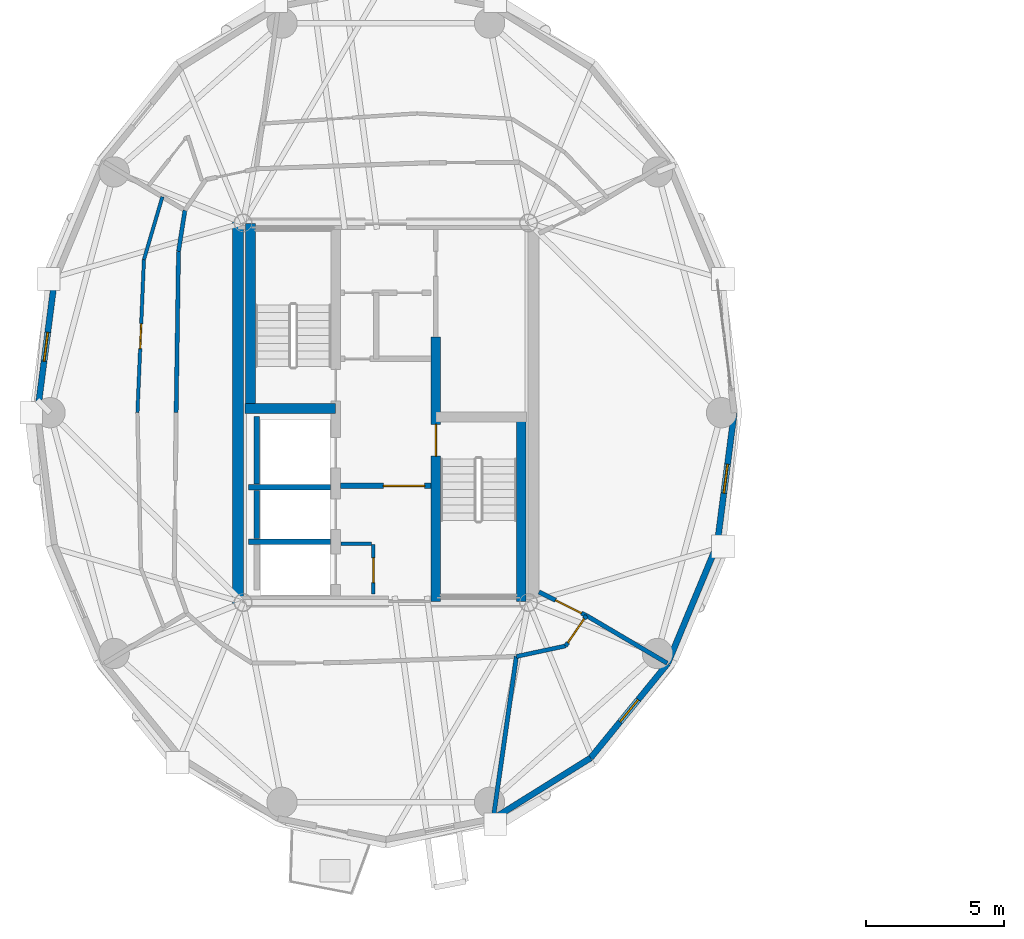
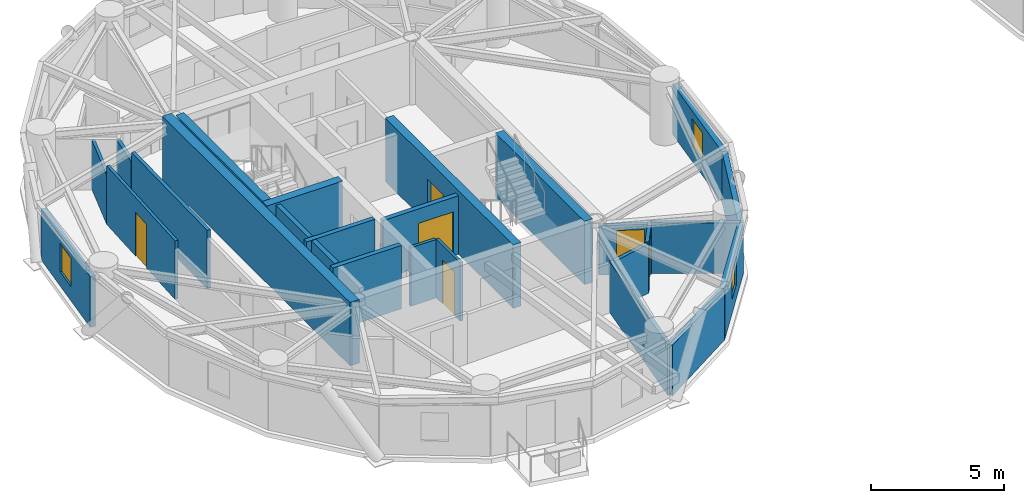
# One storey, part 8 of 16: 26 walls, 6 doors, 3 windows, 9 openings.
"""IFC4 building model written with IfcOpenShell, lengths in metres."""

from ifc_helpers import new_model, si_unit, direction, frame, frame_2d, origin, place, context, subcontext, project, spatial, rectangle, extrude, source, transform, mapped, material, layer, layer_set, type_object, element, fill, save


model = new_model("IFC4")

# Units and contexts
model_context = context("Model", 3, precision=1e-05, world=origin(), true_north=direction((0.0, 1.0)))
body_context = subcontext(model_context, "Body", "Model", "MODEL_VIEW")
ifc_project = project(units=[si_unit("LENGTHUNIT", "METRE"), si_unit("AREAUNIT", "SQUARE_METRE"), si_unit("VOLUMEUNIT", "CUBIC_METRE"), si_unit("PLANEANGLEUNIT", "RADIAN"), si_unit("MASSUNIT", "GRAM", prefix="KILO")], contexts=[model_context])

# Site, building, storey
site_placement = place(None, origin())
site = spatial("IfcSite", under=ifc_project, at=site_placement, CompositionType="ELEMENT")
building_placement = place(site_placement, origin())
building = spatial("IfcBuilding", under=site, at=building_placement, Name="Cununo Teusaquillo Station Towers", CompositionType="ELEMENT")
storey_placement = place(building_placement, frame((0.0, 0.0, 214.1201171875)))
storey = spatial("IfcBuildingStorey", under=building, at=storey_placement, Name="L68", CompositionType="ELEMENT", Elevation=214.1201171875)

# Walls
ifc_material_1 = material(Name="Concrete C50/60", Category="concrete")
ifc_layer_1 = layer(ifc_material_1, 0.199951171875)
ifc_layer_set_1 = layer_set([ifc_layer_1], Name="Concrete C50/60")
wall_type_1 = type_object("IfcWallType", Name="WL-CORE-200", PredefinedType="SHEAR", material=ifc_layer_set_1)
wall_1_placement = place(storey_placement, frame((11.52001953125, 21.800048828125, 0.0), z_axis=(0.0, 0.0, 1.0), x_axis=(1.0, 0.0, 0.0)))
element("IfcWall", 1, at=wall_1_placement, inside=storey, type_object=wall_type_1, Name="L68 Tower A Firefighting Lift Shaft South Shear Wall", PredefinedType="SHEAR", context=body_context, shape_type="SweptSolid", body=[
    extrude(rectangle(XDim=2.969970703125, YDim=0.199951171875, at=frame_2d((1.48486328125, 0.0))), origin(), (0.0, 0.0, 1.0), 2.909912109375),
])
wall_2_placement = place(storey_placement, frame((11.820068359375, 21.919921875, 0.0), z_axis=(0.0, 0.0, 1.0), x_axis=(0.0, 1.0, 0.0)))
element("IfcWall", 2, at=wall_2_placement, inside=storey, type_object=wall_type_1, Name="L68 Tower A Firefighting Lift Shaft Rear Shear Wall", PredefinedType="SHEAR", context=body_context, shape_type="SweptSolid", body=[
    extrude(rectangle(XDim=2.440185546875, YDim=0.199951171875, at=frame_2d((1.22021484375, 0.0))), origin(), (0.0, 0.0, 1.0), 2.909912109375),
])
wall_3_placement = place(storey_placement, frame((11.52001953125, 19.824951171875, 0.0), z_axis=(0.0, 0.0, 1.0), x_axis=(1.0, 0.0, 0.0)))
element("IfcWall", 3, at=wall_3_placement, inside=storey, type_object=wall_type_1, Name="L68 Tower A High-Rise Lift Hoistway Divider Shear Wall", PredefinedType="SHEAR", context=body_context, shape_type="SweptSolid", body=[
    extrude(rectangle(XDim=2.969970703125, YDim=0.199951171875, at=frame_2d((1.48486328125, 0.0))), origin(), (0.0, 0.0, 1.0), 2.909912109375),
])
wall_4_placement = place(storey_placement, frame((11.820068359375, 19.945068359375, 0.0), z_axis=(0.0, 0.0, 1.0), x_axis=(0.0, 1.0, 0.0)))
element("IfcWall", 4, at=wall_4_placement, inside=storey, type_object=wall_type_1, Name="L68 Tower A High-Rise Lift 2 Shaft Rear Shear Wall", PredefinedType="SHEAR", context=body_context, shape_type="SweptSolid", body=[
    extrude(rectangle(XDim=1.73486328125, YDim=0.199951171875, at=frame_2d((0.867431640625, 0.0))), origin(), (0.0, 0.0, 1.0), 2.909912109375),
])

# Wall, opening, door
ifc_material_2 = material(Name="Concrete C50/60", Category="concrete")
ifc_layer_2 = layer(ifc_material_2, 0.35009765625)
ifc_layer_set_2 = layer_set([ifc_layer_2], Name="Concrete C50/60")
wall_type_2 = type_object("IfcWallType", Name="WL-CORE-350", PredefinedType="SHEAR", material=ifc_layer_set_2)
wall_5_placement = place(storey_placement, frame((18.31494140625, 17.64990234375, 0.0), z_axis=(0.0, 0.0, 1.0), x_axis=(0.0, 1.0, 0.0)))
wall_5 = element("IfcWall", 5, at=wall_5_placement, inside=storey, type_object=wall_type_2, Name="L68 Tower A Core Shear Wall IE", PredefinedType="SHEAR", context=body_context, shape_type="SweptSolid", body=[
    extrude(rectangle(XDim=9.60009765625, YDim=0.35009765625, at=frame_2d((4.800048828125, 0.0))), origin(), (0.0, 0.0, 1.0), 2.909912109375),
])
shared_shape_1 = source(origin(), body_context, "Body", "SweptSolid", [
    extrude(rectangle(XDim=1.14990234375, YDim=2.02001953125, at=frame_2d((0.574951171875, 1.010009765625))), frame((0.0, 0.18505859375, 0.0), z_axis=(0.0, -1.0, 0.0), x_axis=(1.0, 0.0, 0.0)), (0.0, 0.0, 1.0), 0.3701171875),
])
opening_1_placement = place(wall_5_placement, frame((5.280029296875, 0.0, 0.0)))
opening_1 = element("IfcOpeningElement", 6, at=opening_1_placement, cuts=wall_5, Name="Opening D-ST1", PredefinedType="OPENING", context=body_context, shape_type="MappedRepresentation", body=[
    mapped(shared_shape_1, transform((0.0, 0.0, 0.0), x_axis=(1.0, 0.0, 0.0), y_axis=(0.0, 1.0, 0.0), z_axis=(0.0, 0.0, 1.0), scale=1.0)),
])
ifc_material_3 = material(Name="Galvanised fire-rated hollow steel door assembly", Category="steel")
door_type_1 = type_object("IfcDoorType", Name="DR-STAIR-1150", OperationType="NOTDEFINED", PredefinedType="DOOR", material=ifc_material_3)
shared_shape_2 = source(origin(), body_context, "Body", "SweptSolid", [
    extrude(rectangle(XDim=1.14990234375, YDim=2.02001953125, at=frame_2d((0.574951171875, 1.010009765625))), frame((0.0, 0.02490234375, 0.0), z_axis=(0.0, -1.0, 0.0), x_axis=(1.0, 0.0, 0.0)), (0.0, 0.0, 1.0), 0.050048828125),
])
door_1_placement = place(opening_1_placement, origin())
door_1 = element("IfcDoor", 7, at=door_1_placement, inside=storey, type_object=door_type_1, Name="L68 Tower A Exit Stair 2 Fire Door", OperationType="SINGLE_SWING_LEFT", OverallHeight=2.02001953125, OverallWidth=1.14990234375, PredefinedType="DOOR", context=body_context, shape_type="MappedRepresentation", body=[
    mapped(shared_shape_2, transform((0.0, 0.0, 0.0), x_axis=(1.0, 0.0, 0.0), y_axis=(0.0, 1.0, 0.0), z_axis=(0.0, 0.0, 1.0), scale=1.0)),
])
fill(opening_1, door_1)

# Walls
wall_6_placement = place(storey_placement, frame((11.594970703125, 24.655029296875, 0.0), z_axis=(0.0, 0.0, 1.0), x_axis=(0.0, 1.0, 0.0)))
element("IfcWall", 8, at=wall_6_placement, inside=storey, type_object=wall_type_2, Name="L68 Tower A Core Shear Wall ST1W", PredefinedType="SHEAR", context=body_context, shape_type="SweptSolid", body=[
    extrude(rectangle(XDim=6.695068359375, YDim=0.35009765625, at=frame_2d((3.34765625, 0.0))), origin(), (0.0, 0.0, 1.0), 2.909912109375),
])
wall_7_placement = place(storey_placement, frame((11.39990234375, 24.655029296875, 0.0), z_axis=(0.0, 0.0, 1.0), x_axis=(1.0, 0.0, 0.0)))
element("IfcWall", 9, at=wall_7_placement, inside=storey, type_object=wall_type_2, Name="L68 Tower A Core Shear Wall ST1S", PredefinedType="SHEAR", context=body_context, shape_type="SweptSolid", body=[
    extrude(rectangle(XDim=3.28515625, YDim=0.35009765625, at=frame_2d((1.642578125, 0.0))), origin(), (0.0, 0.0, 1.0), 2.909912109375),
])
wall_8_placement = place(storey_placement, frame((21.405029296875, 17.64990234375, 0.0), z_axis=(0.0, 0.0, 1.0), x_axis=(0.0, 1.0, 0.0)))
element("IfcWall", 10, at=wall_8_placement, inside=storey, type_object=wall_type_2, Name="L68 Tower A Core Shear Wall ST2E", PredefinedType="SHEAR", context=body_context, shape_type="SweptSolid", body=[
    extrude(rectangle(XDim=6.695068359375, YDim=0.35009765625, at=frame_2d((3.34765625, 0.0))), origin(), (0.0, 0.0, 1.0), 2.909912109375),
])
ifc_material_4 = material(Name="Concrete C50/60", Category="concrete")
ifc_layer_3 = layer(ifc_material_4, 0.39990234375)
ifc_layer_set_3 = layer_set([ifc_layer_3], Name="Concrete C50/60")
wall_type_3 = type_object("IfcWallType", Name="WL-CORE-400", PredefinedType="SHEAR", material=ifc_layer_set_3)
wall_9_placement = place(storey_placement, frame((11.14990234375, 17.449951171875, 0.0), z_axis=(0.0, 0.0, 1.0), x_axis=(0.0, 1.0, 0.0)))
element("IfcWall", 11, at=wall_9_placement, inside=storey, type_object=wall_type_3, Name="L68 Tower A Core Shear Wall W", PredefinedType="SHEAR", context=body_context, shape_type="SweptSolid", body=[
    extrude(rectangle(XDim=14.10009765625, YDim=0.39990234375, at=frame_2d((7.050048828125, 0.0))), origin(), (0.0, 0.0, 1.0), 2.909912109375),
])

# Wall, opening, window
ifc_material_5 = material(Name="Precast concrete C40/50", Category="concrete")
ifc_layer_4 = layer(ifc_material_5, 0.219970703125)
ifc_layer_set_4 = layer_set([ifc_layer_4], Name="Precast concrete C40/50")
wall_type_4 = type_object("IfcWallType", Name="WL-EXT-220", PredefinedType="SOLIDWALL", material=ifc_layer_set_4)
wall_10_placement = place(storey_placement, frame((3.8701171875, 24.5, 0.0), z_axis=(0.0, 0.0, 1.0), x_axis=(0.128241318541, 0.991742993027, 0.0)))
wall_10 = element("IfcWall", 12, at=wall_10_placement, inside=storey, type_object=wall_type_4, Name="L68 Tower A Exterior Facade Wall C09", PredefinedType="SOLIDWALL", context=body_context, shape_type="SweptSolid", body=[
    extrude(rectangle(XDim=4.8203125, YDim=0.219970703125, at=frame_2d((2.41015625, 0.0))), origin(), (0.0, 0.0, 1.0), 2.32177734375),
])
shared_shape_3 = source(origin(), body_context, "Body", "SweptSolid", [
    extrude(rectangle(XDim=1.050048828125, YDim=1.300048828125, at=frame_2d((0.52490234375, 0.64990234375))), frame((0.0, 0.119873046875, 0.0), z_axis=(0.0, -1.0, 0.0), x_axis=(1.0, 0.0, 0.0)), (0.0, 0.0, 1.0), 0.239990234375),
])
opening_2_placement = place(wall_10_placement, frame((1.885009765625, 0.0, 0.64990234375)))
opening_2 = element("IfcOpeningElement", 13, at=opening_2_placement, cuts=wall_10, Name="Opening WN-04", PredefinedType="OPENING", context=body_context, shape_type="MappedRepresentation", body=[
    mapped(shared_shape_3, transform((0.0, 0.0, 0.0), x_axis=(1.0, 0.0, 0.0), y_axis=(0.0, 1.0, 0.0), z_axis=(0.0, 0.0, 1.0), scale=1.0)),
])
ifc_material_6 = material(Name="Operable acoustic tinted low-E double glazing", Category="glass")
window_type = type_object("IfcWindowType", Name="WIN-BAL-1050", PartitioningType="SINGLE_PANEL", PredefinedType="WINDOW", material=ifc_material_6)
shared_shape_4 = source(origin(), body_context, "Body", "SweptSolid", [
    extrude(rectangle(XDim=1.050048828125, YDim=1.300048828125, at=frame_2d((0.52490234375, 0.64990234375))), frame((0.0, 0.030029296875, 0.0), z_axis=(0.0, -1.0, 0.0), x_axis=(1.0, 0.0, 0.0)), (0.0, 0.0, 1.0), 0.06005859375),
])
window_1_placement = place(opening_2_placement, origin())
window_1 = element("IfcWindow", 14, at=window_1_placement, inside=storey, type_object=window_type, Name="L68 Tower A Facade Window C09", OverallHeight=1.300048828125, OverallWidth=1.050048828125, PartitioningType="SINGLE_PANEL", PredefinedType="WINDOW", context=body_context, shape_type="MappedRepresentation", body=[
    mapped(shared_shape_4, transform((0.0, 0.0, 0.0), x_axis=(1.0, 0.0, 0.0), y_axis=(0.0, 1.0, 0.0), z_axis=(0.0, 0.0, 1.0), scale=1.0)),
])
fill(opening_2, window_1)

# Wall
wall_11_placement = place(storey_placement, frame((23.923583984375, 11.984619140625, 0.0), z_axis=(0.0, 0.0, 1.0), x_axis=(-0.848318713376, -0.529485939886, 0.0)))
element("IfcWall", 15, at=wall_11_placement, inside=storey, type_object=wall_type_4, Name="L68 Tower A Exterior Facade Wall C16", PredefinedType="SOLIDWALL", context=body_context, shape_type="SweptSolid", body=[
    extrude(rectangle(XDim=4.150390625, YDim=0.219970703125, at=frame_2d((2.0751953125, 0.0))), origin(), (0.0, 0.0, 1.0), 2.32177734375),
])

# Wall, opening, window
wall_12_placement = place(storey_placement, frame((26.718017578125, 15.406982421875, 0.0), z_axis=(0.0, 0.0, 1.0), x_axis=(-0.632467166636, -0.774587169483, 0.0)))
wall_12 = element("IfcWall", 16, at=wall_12_placement, inside=storey, type_object=wall_type_4, Name="L68 Tower A Exterior Facade Wall C17", PredefinedType="SOLIDWALL", context=body_context, shape_type="SweptSolid", body=[
    extrude(rectangle(XDim=4.418212890625, YDim=0.219970703125, at=frame_2d((2.208984375, 0.0))), origin(), (0.0, 0.0, 1.0), 2.32177734375),
])
opening_3_placement = place(wall_12_placement, frame((1.68408203125, 0.0, 0.64990234375)))
opening_3 = element("IfcOpeningElement", 17, at=opening_3_placement, cuts=wall_12, Name="Opening WN-04", PredefinedType="OPENING", context=body_context, shape_type="MappedRepresentation", body=[
    mapped(shared_shape_3, transform((0.0, 0.0, 0.0), x_axis=(1.0, 0.0, 0.0), y_axis=(0.0, 1.0, 0.0), z_axis=(0.0, 0.0, 1.0), scale=1.0)),
])
window_2_placement = place(opening_3_placement, origin())
window_2 = element("IfcWindow", 18, at=window_2_placement, inside=storey, type_object=window_type, Name="L68 Tower A Facade Window C17", OverallHeight=1.300048828125, OverallWidth=1.050048828125, PartitioningType="SINGLE_PANEL", PredefinedType="WINDOW", context=body_context, shape_type="MappedRepresentation", body=[
    mapped(shared_shape_4, transform((0.0, 0.0, 0.0), x_axis=(1.0, 0.0, 0.0), y_axis=(0.0, 1.0, 0.0), z_axis=(0.0, 0.0, 1.0), scale=1.0)),
])
fill(opening_3, window_2)

# Wall
wall_13_placement = place(storey_placement, frame((28.51171875, 19.719482421875, 0.0), z_axis=(0.0, 0.0, 1.0), x_axis=(-0.384036305194, -0.923317993052, 0.0)))
element("IfcWall", 19, at=wall_13_placement, inside=storey, type_object=wall_type_4, Name="L68 Tower A Exterior Facade Wall C18", PredefinedType="SOLIDWALL", context=body_context, shape_type="SweptSolid", body=[
    extrude(rectangle(XDim=4.670654296875, YDim=0.219970703125, at=frame_2d((2.33544921875, 0.0))), origin(), (0.0, 0.0, 1.0), 2.32177734375),
])

# Wall, opening, window
wall_14_placement = place(storey_placement, frame((29.1298828125, 24.5, 0.0), z_axis=(0.0, 0.0, 1.0), x_axis=(-0.128241318541, -0.991742993027, 0.0)))
wall_14 = element("IfcWall", 20, at=wall_14_placement, inside=storey, type_object=wall_type_4, Name="L68 Tower A Exterior Facade Wall C19", PredefinedType="SOLIDWALL", context=body_context, shape_type="SweptSolid", body=[
    extrude(rectangle(XDim=4.8203125, YDim=0.219970703125, at=frame_2d((2.41015625, 0.0))), origin(), (0.0, 0.0, 1.0), 2.32177734375),
])
opening_4_placement = place(wall_14_placement, frame((1.885009765625, 0.0, 0.64990234375)))
opening_4 = element("IfcOpeningElement", 21, at=opening_4_placement, cuts=wall_14, Name="Opening WN-04", PredefinedType="OPENING", context=body_context, shape_type="MappedRepresentation", body=[
    mapped(shared_shape_3, transform((0.0, 0.0, 0.0), x_axis=(1.0, 0.0, 0.0), y_axis=(0.0, 1.0, 0.0), z_axis=(0.0, 0.0, 1.0), scale=1.0)),
])
window_3_placement = place(opening_4_placement, origin())
window_3 = element("IfcWindow", 22, at=window_3_placement, inside=storey, type_object=window_type, Name="L68 Tower A Facade Window C19", OverallHeight=1.300048828125, OverallWidth=1.050048828125, PartitioningType="SINGLE_PANEL", PredefinedType="WINDOW", context=body_context, shape_type="MappedRepresentation", body=[
    mapped(shared_shape_4, transform((0.0, 0.0, 0.0), x_axis=(1.0, 0.0, 0.0), y_axis=(0.0, 1.0, 0.0), z_axis=(0.0, 0.0, 1.0), scale=1.0)),
])
fill(opening_4, window_3)

# Wall, opening, door
ifc_material_7 = material(Name="Fire-rated gypsum plasterboard partition assembly", Category="gypsum")
ifc_layer_5 = layer(ifc_material_7, 0.125)
ifc_layer_set_5 = layer_set([ifc_layer_5], Name="Fire-rated gypsum plasterboard partition assembly")
wall_type_5 = type_object("IfcWallType", Name="WL-PART-125", PredefinedType="PARTITIONING", material=ifc_layer_set_5)
wall_15_placement = place(storey_placement, frame((16.050048828125, 17.919921875, 0.0), z_axis=(0.0, 0.0, 1.0), x_axis=(0.0, 1.0, 0.0)))
wall_15 = element("IfcWall", 23, at=wall_15_placement, inside=storey, type_object=wall_type_5, Name="L68 Tower A South-West Compact Store East Wall", PredefinedType="PARTITIONING", context=body_context, shape_type="SweptSolid", body=[
    extrude(rectangle(XDim=1.800048828125, YDim=0.125, at=frame_2d((0.89990234375, 0.0))), origin(), (0.0, 0.0, 1.0), 2.684814453125),
])
shared_shape_5 = source(origin(), body_context, "Body", "SweptSolid", [
    extrude(rectangle(XDim=0.89990234375, YDim=2.0048828125, at=frame_2d((0.449951171875, 1.00244140625))), frame((0.0, 0.072509765625, 0.0), z_axis=(0.0, -1.0, 0.0), x_axis=(1.0, 0.0, 0.0)), (0.0, 0.0, 1.0), 0.14501953125),
])
opening_5_placement = place(wall_15_placement, frame((0.419921875, 0.0, 0.0)))
opening_5 = element("IfcOpeningElement", 24, at=opening_5_placement, cuts=wall_15, Name="Opening D-SR1", PredefinedType="OPENING", context=body_context, shape_type="MappedRepresentation", body=[
    mapped(shared_shape_5, transform((0.0, 0.0, 0.0), x_axis=(1.0, 0.0, 0.0), y_axis=(0.0, 1.0, 0.0), z_axis=(0.0, 0.0, 1.0), scale=1.0)),
])
ifc_material_8 = material(Name="Galvanised fire-rated hollow steel door assembly", Category="steel")
door_type_2 = type_object("IfcDoorType", Name="DR-STORE-900", OperationType="NOTDEFINED", PredefinedType="DOOR", material=ifc_material_8)
shared_shape_6 = source(origin(), body_context, "Body", "SweptSolid", [
    extrude(rectangle(XDim=0.89990234375, YDim=2.0048828125, at=frame_2d((0.449951171875, 1.00244140625))), frame((0.0, 0.02490234375, 0.0), z_axis=(0.0, -1.0, 0.0), x_axis=(1.0, 0.0, 0.0)), (0.0, 0.0, 1.0), 0.050048828125),
])
door_2_placement = place(opening_5_placement, origin())
door_2 = element("IfcDoor", 25, at=door_2_placement, inside=storey, type_object=door_type_2, Name="L68 Tower A Core Electrical & Comms Store Door", OperationType="SINGLE_SWING_RIGHT", OverallHeight=2.0048828125, OverallWidth=0.89990234375, PredefinedType="DOOR", context=body_context, shape_type="MappedRepresentation", body=[
    mapped(shared_shape_6, transform((0.0, 0.0, 0.0), x_axis=(1.0, 0.0, 0.0), y_axis=(0.0, 1.0, 0.0), z_axis=(0.0, 0.0, 1.0), scale=1.0)),
])
fill(opening_5, door_2)

# Walls
wall_16_placement = place(storey_placement, frame((14.8798828125, 19.75, 0.0), z_axis=(0.0, 0.0, 1.0), x_axis=(1.0, 0.0, 0.0)))
element("IfcWall", 26, at=wall_16_placement, inside=storey, type_object=wall_type_5, Name="L68 Tower A South-West Compact Store North Wall", PredefinedType="PARTITIONING", context=body_context, shape_type="SweptSolid", body=[
    extrude(rectangle(XDim=1.10009765625, YDim=0.125, at=frame_2d((0.550048828125, 0.0))), origin(), (0.0, 0.0, 1.0), 2.684814453125),
])
wall_17_placement = place(storey_placement, frame((8.40087890625, 32.32568359375, 0.0), z_axis=(0.0, 0.0, 1.0), x_axis=(-0.281681886596, -0.959507850288, 0.0)))
element("IfcWall", 27, at=wall_17_placement, inside=storey, type_object=wall_type_5, Name="L68 Tower A Cordillera Pinnacle Club Concentric Partition Wall C08", PredefinedType="PARTITIONING", context=body_context, shape_type="SweptSolid", body=[
    extrude(rectangle(XDim=2.3740234375, YDim=0.125, at=frame_2d((1.18701171875, 0.0))), origin(), (0.0, 0.0, 1.0), 2.2548828125),
])

# Wall, opening, door
wall_18_placement = place(storey_placement, frame((7.732177734375, 30.0478515625, 0.0), z_axis=(0.0, 0.0, 1.0), x_axis=(-0.042296211955, -0.999105114817, 0.0)))
wall_18 = element("IfcWall", 28, at=wall_18_placement, inside=storey, type_object=wall_type_5, Name="L68 Tower A Cordillera Pinnacle Club Concentric Partition Wall C09", PredefinedType="PARTITIONING", context=body_context, shape_type="SweptSolid", body=[
    extrude(rectangle(XDim=5.552734375, YDim=0.125, at=frame_2d((2.7763671875, 0.0))), origin(), (0.0, 0.0, 1.0), 2.684814453125),
])
opening_6_placement = place(wall_18_placement, frame((2.326416015625, 0.0, 0.0)))
opening_6 = element("IfcOpeningElement", 29, at=opening_6_placement, cuts=wall_18, Name="Opening D-IN1", PredefinedType="OPENING", context=body_context, shape_type="MappedRepresentation", body=[
    mapped(shared_shape_5, transform((0.0, 0.0, 0.0), x_axis=(1.0, 0.0, 0.0), y_axis=(0.0, 1.0, 0.0), z_axis=(0.0, 0.0, 1.0), scale=1.0)),
])
ifc_material_9 = material(Name="Acoustic solid-core hardwood leaf assembly", Category="wood")
door_type_3 = type_object("IfcDoorType", Name="DR-INT-900", OperationType="NOTDEFINED", PredefinedType="DOOR", material=ifc_material_9)
door_3_placement = place(opening_6_placement, origin())
door_3 = element("IfcDoor", 30, at=door_3_placement, inside=storey, type_object=door_type_3, Name="L68 Tower A Cordillera Pinnacle Club Connecting Door", OperationType="SINGLE_SWING_RIGHT", OverallHeight=2.0048828125, OverallWidth=0.89990234375, PredefinedType="DOOR", context=body_context, shape_type="MappedRepresentation", body=[
    mapped(shared_shape_6, transform((0.0, 0.0, 0.0), x_axis=(1.0, 0.0, 0.0), y_axis=(0.0, 1.0, 0.0), z_axis=(0.0, 0.0, 1.0), scale=1.0)),
])
fill(opening_6, door_3)

# Walls
ifc_material_10 = material(Name="Fire-rated gypsum plasterboard partition assembly", Category="gypsum")
ifc_layer_6 = layer(ifc_material_10, 0.14990234375)
ifc_layer_set_6 = layer_set([ifc_layer_6], Name="Fire-rated gypsum plasterboard partition assembly")
wall_type_6 = type_object("IfcWallType", Name="WL-PART-150", PredefinedType="PARTITIONING", material=ifc_layer_set_6)
wall_19_placement = place(storey_placement, frame((9.218505859375, 31.837646484375, 0.0), z_axis=(0.0, 0.0, 1.0), x_axis=(-0.154065528966, -0.98806063214, 0.0)))
element("IfcWall", 31, at=wall_19_placement, inside=storey, type_object=wall_type_6, Name="L68 Tower A Corridor Ring Wall C08", PredefinedType="PARTITIONING", context=body_context, shape_type="SweptSolid", body=[
    extrude(rectangle(XDim=1.507080078125, YDim=0.14990234375, at=frame_2d((0.75341796875, 0.0))), origin(), (0.0, 0.0, 1.0), 2.2548828125),
])
wall_20_placement = place(storey_placement, frame((8.986328125, 30.3486328125, 0.0), z_axis=(0.0, 0.0, 1.0), x_axis=(-0.014775478218, -0.999890836663, 0.0)))
element("IfcWall", 32, at=wall_20_placement, inside=storey, type_object=wall_type_6, Name="L68 Tower A Corridor Ring Wall C09", PredefinedType="PARTITIONING", context=body_context, shape_type="SweptSolid", body=[
    extrude(rectangle(XDim=5.849365234375, YDim=0.14990234375, at=frame_2d((2.9248046875, 0.0))), origin(), (0.0, 0.0, 1.0), 2.684814453125),
])
wall_21_placement = place(storey_placement, frame((21.23388671875, 15.664306640625, 0.0), z_axis=(0.0, 0.0, 1.0), x_axis=(0.977931581182, 0.208925399431, 0.0)))
element("IfcWall", 33, at=wall_21_placement, inside=storey, type_object=wall_type_6, Name="L68 Tower A Corridor Ring Wall C16", PredefinedType="PARTITIONING", context=body_context, shape_type="SweptSolid", body=[
    extrude(rectangle(XDim=1.822998046875, YDim=0.14990234375, at=frame_2d((0.91162109375, 0.0))), origin(), (0.0, 0.0, 1.0), 2.2548828125),
])

# Wall, opening, door
wall_22_placement = place(storey_placement, frame((23.0166015625, 16.045166015625, 0.0), z_axis=(0.0, 0.0, 1.0), x_axis=(0.566660656138, 0.823951273308, 0.0)))
wall_22 = element("IfcWall", 34, at=wall_22_placement, inside=storey, type_object=wall_type_6, Name="L68 Tower A Corridor Ring Wall C17", PredefinedType="PARTITIONING", context=body_context, shape_type="SweptSolid", body=[
    extrude(rectangle(XDim=1.3359375, YDim=0.14990234375, at=frame_2d((0.66796875, 0.0))), origin(), (0.0, 0.0, 1.0), 2.32177734375),
])
shared_shape_7 = source(origin(), body_context, "Body", "SweptSolid", [
    extrude(rectangle(XDim=1.050048828125, YDim=2.014892578125, at=frame_2d((0.52490234375, 1.00732421875))), frame((0.0, 0.0849609375, 0.0), z_axis=(0.0, -1.0, 0.0), x_axis=(1.0, 0.0, 0.0)), (0.0, 0.0, 1.0), 0.169921875),
])
opening_7_placement = place(wall_22_placement, frame((0.14306640625, 0.0, 0.0)))
opening_7 = element("IfcOpeningElement", 35, at=opening_7_placement, cuts=wall_22, Name="Opening D-SU1", PredefinedType="OPENING", context=body_context, shape_type="MappedRepresentation", body=[
    mapped(shared_shape_7, transform((0.0, 0.0, 0.0), x_axis=(1.0, 0.0, 0.0), y_axis=(0.0, 1.0, 0.0), z_axis=(0.0, 0.0, 1.0), scale=1.0)),
])
ifc_material_11 = material(Name="Acoustic solid-core hardwood leaf assembly", Category="wood")
door_type_4 = type_object("IfcDoorType", Name="DR-SUITE-1050", OperationType="NOTDEFINED", PredefinedType="DOOR", material=ifc_material_11)
shared_shape_8 = source(origin(), body_context, "Body", "SweptSolid", [
    extrude(rectangle(XDim=1.050048828125, YDim=2.014892578125, at=frame_2d((0.52490234375, 1.00732421875))), frame((0.0, 0.02490234375, 0.0), z_axis=(0.0, -1.0, 0.0), x_axis=(1.0, 0.0, 0.0)), (0.0, 0.0, 1.0), 0.050048828125),
])
door_4_placement = place(opening_7_placement, origin())
door_4 = element("IfcDoor", 36, at=door_4_placement, inside=storey, type_object=door_type_4, Name="L68 Tower A Hotel Housekeeping & Linen Pantry Entrance Door", OperationType="SINGLE_SWING_RIGHT", OverallHeight=2.014892578125, OverallWidth=1.050048828125, PredefinedType="DOOR", context=body_context, shape_type="MappedRepresentation", body=[
    mapped(shared_shape_8, transform((0.0, 0.0, 0.0), x_axis=(1.0, 0.0, 0.0), y_axis=(0.0, 1.0, 0.0), z_axis=(0.0, 0.0, 1.0), scale=1.0)),
])
fill(opening_7, door_4)

# Walls
ifc_material_12 = material(Name="Fire-rated gypsum plasterboard partition assembly", Category="gypsum")
ifc_layer_7 = layer(ifc_material_12, 0.159912109375)
ifc_layer_set_7 = layer_set([ifc_layer_7], Name="Fire-rated gypsum plasterboard partition assembly")
wall_type_7 = type_object("IfcWallType", Name="WL-PART-160", PredefinedType="PARTITIONING", material=ifc_layer_set_7)
wall_23_placement = place(storey_placement, frame((21.23388671875, 15.664306640625, 0.0), z_axis=(0.0, 0.0, 1.0), x_axis=(-0.141467563045, -0.989942891588, 0.0)))
element("IfcWall", 37, at=wall_23_placement, inside=storey, type_object=wall_type_7, Name="L68 Tower A Radial Suite Partition R05", PredefinedType="PARTITIONING", context=body_context, shape_type="SweptSolid", body=[
    extrude(rectangle(XDim=5.917724609375, YDim=0.159912109375, at=frame_2d((2.958984375, 0.0))), origin(), (0.0, 0.0, 1.0), 2.32177734375),
])
wall_24_placement = place(storey_placement, frame((23.773681640625, 17.14599609375, 0.0), z_axis=(0.0, 0.0, 1.0), x_axis=(0.861296601099, -0.508102514198, 0.0)))
element("IfcWall", 38, at=wall_24_placement, inside=storey, type_object=wall_type_7, Name="L68 Tower A Radial Suite Partition R06", PredefinedType="PARTITIONING", context=body_context, shape_type="SweptSolid", body=[
    extrude(rectangle(XDim=3.3994140625, YDim=0.159912109375, at=frame_2d((1.69970703125, 0.0))), origin(), (0.0, 0.0, 1.0), 2.32177734375),
])

# Wall, opening, door
wall_25_placement = place(storey_placement, frame((22.050048828125, 18.0, 0.0), z_axis=(0.0, 0.0, 1.0), x_axis=(0.896045848613, -0.443961526692, 0.0)))
wall_25 = element("IfcWall", 39, at=wall_25_placement, inside=storey, type_object=wall_type_7, Name="L68 Tower A East Salon Corridor Portal Wall SE", PredefinedType="PARTITIONING", context=body_context, shape_type="SweptSolid", body=[
    extrude(rectangle(XDim=1.923583984375, YDim=0.159912109375, at=frame_2d((0.9619140625, 0.0))), origin(), (0.0, 0.0, 1.0), 2.2548828125),
])
shared_shape_9 = source(origin(), body_context, "Body", "SweptSolid", [
    extrude(rectangle(XDim=1.050048828125, YDim=2.014892578125, at=frame_2d((0.52490234375, 1.00732421875))), frame((0.0, 0.08984375, 0.0), z_axis=(0.0, -1.0, 0.0), x_axis=(1.0, 0.0, 0.0)), (0.0, 0.0, 1.0), 0.179931640625),
])
opening_8_placement = place(wall_25_placement, frame((0.673583984375, 0.0, 0.0)))
opening_8 = element("IfcOpeningElement", 40, at=opening_8_placement, cuts=wall_25, Name="Opening D-SU1", PredefinedType="OPENING", context=body_context, shape_type="MappedRepresentation", body=[
    mapped(shared_shape_9, transform((0.0, 0.0, 0.0), x_axis=(1.0, 0.0, 0.0), y_axis=(0.0, 1.0, 0.0), z_axis=(0.0, 0.0, 1.0), scale=1.0)),
])
door_5_placement = place(opening_8_placement, origin())
door_5 = element("IfcDoor", 41, at=door_5_placement, inside=storey, type_object=door_type_4, Name="L68 Tower A East Panorama Sky Salon Door SE", OperationType="SINGLE_SWING_RIGHT", OverallHeight=2.014892578125, OverallWidth=1.050048828125, PredefinedType="DOOR", context=body_context, shape_type="MappedRepresentation", body=[
    mapped(shared_shape_8, transform((0.0, 0.0, 0.0), x_axis=(1.0, 0.0, 0.0), y_axis=(0.0, 1.0, 0.0), z_axis=(0.0, 0.0, 1.0), scale=1.0)),
])
fill(opening_8, door_5)

ifc_material_13 = material(Name="Fire-rated gypsum plasterboard partition assembly", Category="gypsum")
ifc_layer_8 = layer(ifc_material_13, 0.199951171875)
ifc_layer_set_8 = layer_set([ifc_layer_8], Name="Fire-rated gypsum plasterboard partition assembly")
wall_type_8 = type_object("IfcWallType", Name="WL-PART-200", PredefinedType="PARTITIONING", material=ifc_layer_set_8)
wall_26_placement = place(storey_placement, frame((14.860107421875, 21.85009765625, 0.0), z_axis=(0.0, 0.0, 1.0), x_axis=(1.0, 0.0, 0.0)))
wall_26 = element("IfcWall", 42, at=wall_26_placement, inside=storey, type_object=wall_type_8, Name="L68 Tower A Firefighting Lift Lobby South Fire Wall", PredefinedType="PARTITIONING", context=body_context, shape_type="SweptSolid", body=[
    extrude(rectangle(XDim=3.27978515625, YDim=0.199951171875, at=frame_2d((1.639892578125, 0.0))), origin(), (0.0, 0.0, 1.0), 2.684814453125),
])
shared_shape_10 = source(origin(), body_context, "Body", "SweptSolid", [
    extrude(rectangle(XDim=1.5, YDim=2.02001953125, at=frame_2d((0.75, 1.010009765625))), frame((0.0, 0.10986328125, 0.0), z_axis=(0.0, -1.0, 0.0), x_axis=(1.0, 0.0, 0.0)), (0.0, 0.0, 1.0), 0.219970703125),
])
opening_9_placement = place(wall_26_placement, frame((1.550048828125, 0.0, 0.0)))
opening_9 = element("IfcOpeningElement", 43, at=opening_9_placement, cuts=wall_26, Name="Opening D-LB1", PredefinedType="OPENING", context=body_context, shape_type="MappedRepresentation", body=[
    mapped(shared_shape_10, transform((0.0, 0.0, 0.0), x_axis=(1.0, 0.0, 0.0), y_axis=(0.0, 1.0, 0.0), z_axis=(0.0, 0.0, 1.0), scale=1.0)),
])
ifc_material_14 = material(Name="Galvanised fire-rated hollow steel door assembly", Category="steel")
door_type_5 = type_object("IfcDoorType", Name="DR-LOBBY-1500", OperationType="DOUBLE_DOOR_SINGLE_SWING", PredefinedType="DOOR", material=ifc_material_14)
shared_shape_11 = source(origin(), body_context, "Body", "SweptSolid", [
    extrude(rectangle(XDim=1.5, YDim=2.02001953125, at=frame_2d((0.75, 1.010009765625))), frame((0.0, 0.02490234375, 0.0), z_axis=(0.0, -1.0, 0.0), x_axis=(1.0, 0.0, 0.0)), (0.0, 0.0, 1.0), 0.050048828125),
])
door_6_placement = place(opening_9_placement, origin())
door_6 = element("IfcDoor", 44, at=door_6_placement, inside=storey, type_object=door_type_5, Name="L68 Tower A Firefighting Lift Lobby South Fire Door", OperationType="DOUBLE_DOOR_SINGLE_SWING", OverallHeight=2.02001953125, OverallWidth=1.5, PredefinedType="DOOR", context=body_context, shape_type="MappedRepresentation", body=[
    mapped(shared_shape_11, transform((0.0, 0.0, 0.0), x_axis=(1.0, 0.0, 0.0), y_axis=(0.0, 1.0, 0.0), z_axis=(0.0, 0.0, 1.0), scale=1.0)),
])
fill(opening_9, door_6)

save(model, "model.ifc")
